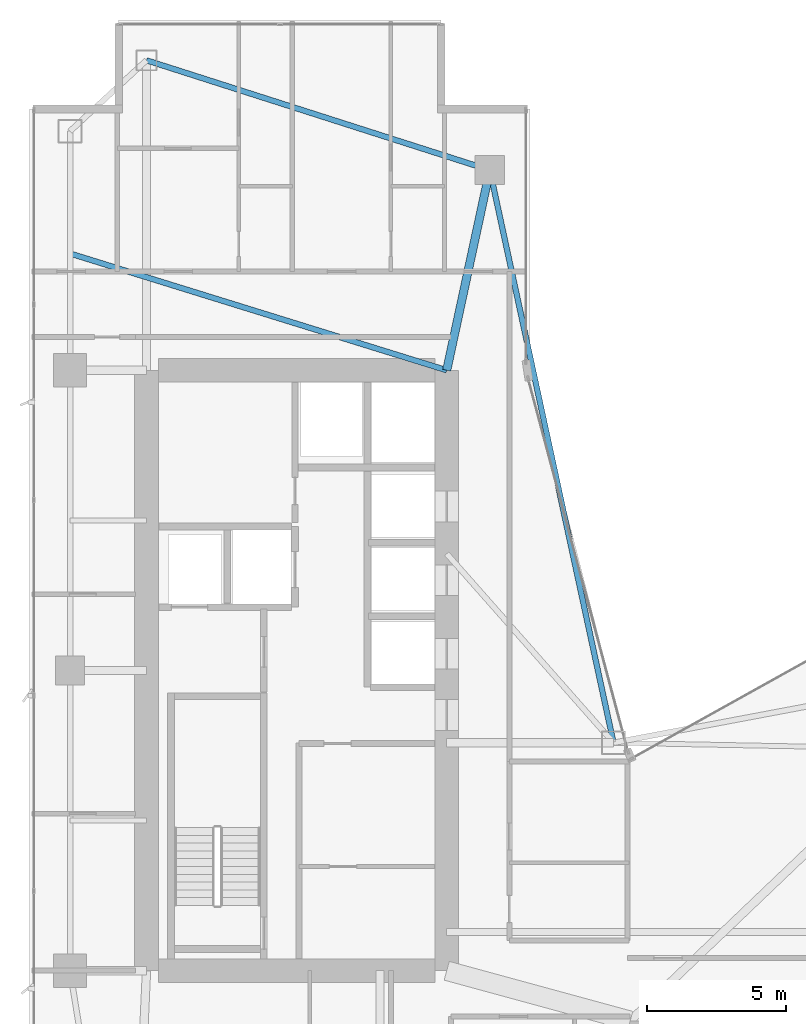
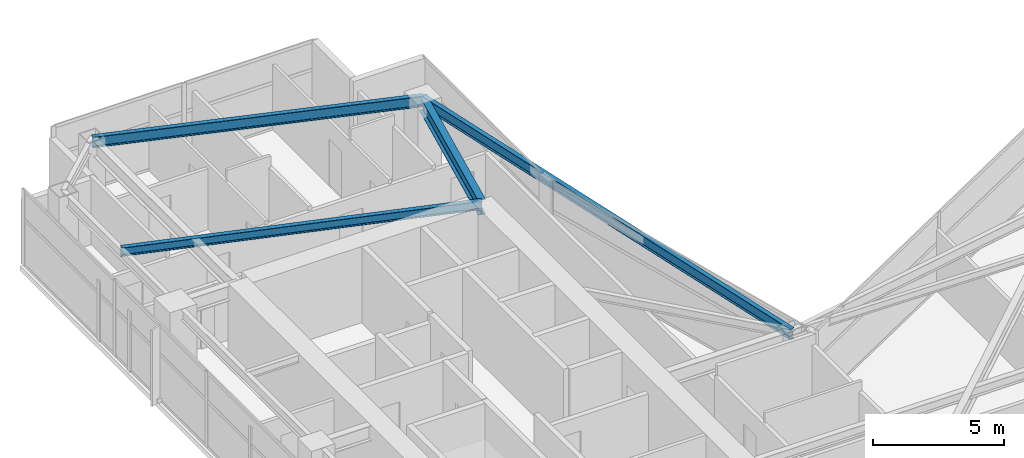
# One storey, part 17 of 29: 4 beams.
"""IFC4 building model written with IfcOpenShell, lengths in metres."""

from ifc_helpers import new_model, si_unit, direction, frame, origin, origin_2d, place, context, subcontext, project, spatial, i_section, extrude, material, material_profile, profile_set, type_object, element, save


model = new_model("IFC4")

# Units and contexts
model_context = context("Model", 3, precision=1e-05, world=origin(), true_north=direction((0.0, 1.0)))
body_context = subcontext(model_context, "Body", "Model", "MODEL_VIEW")
ifc_project = project(units=[si_unit("LENGTHUNIT", "METRE"), si_unit("AREAUNIT", "SQUARE_METRE"), si_unit("VOLUMEUNIT", "CUBIC_METRE"), si_unit("PLANEANGLEUNIT", "RADIAN"), si_unit("MASSUNIT", "GRAM", prefix="KILO")], contexts=[model_context])

# Site, building, storey
site_placement = place(None, origin())
site = spatial("IfcSite", under=ifc_project, at=site_placement, CompositionType="ELEMENT")
building_placement = place(site_placement, origin())
building = spatial("IfcBuilding", under=site, at=building_placement, Name="Calvorn Quay Hotel", CompositionType="ELEMENT")
storey_placement = place(building_placement, frame((0.0, 0.0, 124.0)))
storey = spatial("IfcBuildingStorey", under=building, at=storey_placement, Name="L30", CompositionType="ELEMENT", Elevation=124.0)

# Beams
ifc_material_1 = material(Name="Steel Q390GJC", Category="steel")
ifc_material_profile_1 = material_profile(ifc_material_1, i_section(OverallWidth=0.300048828125, OverallDepth=0.699951171875, WebThickness=0.012939453125, FlangeThickness=0.02392578125, FilletRadius=0.02392578125, at=origin_2d()), Name="HN700x300x13x24")
ifc_profile_set_1 = profile_set([ifc_material_profile_1], Name="Steel Q390GJC")
beam_type_1 = type_object("IfcBeamType", Name="BM-GIRD-MAIN", PredefinedType="BEAM", material=ifc_profile_set_1)
beam_1_placement = place(storey_placement, frame((16.550048828125, 45.60009765625, 3.18994140625), z_axis=(-0.210457140491, -0.97760308511, 0.0), x_axis=(0.97760308511, -0.210457140491, 0.0)))
element("IfcBeam", 1, at=beam_1_placement, inside=storey, type_object=beam_type_1, Name="Beam BG-L30-W6", PredefinedType="BEAM", context=body_context, shape_type="SweptSolid", body=[
    extrude(i_section(OverallWidth=0.300048828125, OverallDepth=0.699951171875, WebThickness=0.012939453125, FlangeThickness=0.02392578125, FilletRadius=0.02392578125, at=origin_2d()), origin(), (0.0, 0.0, 1.0), 7.365234375),
])
ifc_material_2 = material(Name="Steel Q355B", Category="steel")
ifc_material_profile_2 = material_profile(ifc_material_2, i_section(OverallWidth=0.199951171875, OverallDepth=0.39990234375, WebThickness=0.008056640625, FlangeThickness=0.012939453125, FilletRadius=0.01611328125, at=origin_2d()), Name="HN400x200x8x13")
ifc_profile_set_2 = profile_set([ifc_material_profile_2], Name="Steel Q355B")
beam_type_2 = type_object("IfcBeamType", Name="BM-JOIST-TYP", PredefinedType="JOIST", material=ifc_profile_set_2)
beam_2_placement = place(storey_placement, frame((1.449951171875, 42.60009765625, 3.340087890625), z_axis=(0.955163702122, -0.296078202759, 0.0), x_axis=(0.296078202759, 0.955163702122, 0.0)))
element("IfcBeam", 2, at=beam_2_placement, inside=storey, type_object=beam_type_2, Name="Beam BJ-L30-W2", PredefinedType="JOIST", context=body_context, shape_type="SweptSolid", body=[
    extrude(i_section(OverallWidth=0.199951171875, OverallDepth=0.39990234375, WebThickness=0.008056640625, FlangeThickness=0.012939453125, FilletRadius=0.01611328125, at=origin_2d()), origin(), (0.0, 0.0, 1.0), 14.18603515625),
])
ifc_material_3 = material(Name="Steel Q355B", Category="steel")
ifc_material_profile_3 = material_profile(ifc_material_3, i_section(OverallWidth=0.199951171875, OverallDepth=0.5, WebThickness=0.010009765625, FlangeThickness=0.01611328125, FilletRadius=0.01611328125, at=origin_2d()), Name="HN500x200x10x16")
ifc_profile_set_3 = profile_set([ifc_material_profile_3], Name="Steel Q355B")
beam_type_3 = type_object("IfcBeamType", Name="BM-SPANDREL-Z1", PredefinedType="SPANDREL", material=ifc_profile_set_3)
beam_3_placement = place(storey_placement, frame((4.199951171875, 49.550048828125, 3.2900390625), z_axis=(0.952470702374, -0.304630203885, 0.0), x_axis=(0.304630203885, 0.952470702374, 0.0)))
element("IfcBeam", 3, at=beam_3_placement, inside=storey, type_object=beam_type_3, Name="Beam BSP-L30-W6", PredefinedType="SPANDREL", context=body_context, shape_type="SweptSolid", body=[
    extrude(i_section(OverallWidth=0.199951171875, OverallDepth=0.5, WebThickness=0.010009765625, FlangeThickness=0.01611328125, FilletRadius=0.01611328125, at=origin_2d()), origin(), (0.0, 0.0, 1.0), 12.96630859375),
])
beam_4_placement = place(storey_placement, frame((16.550048828125, 45.60009765625, 3.2900390625), z_axis=(0.211145848376, -0.977454567084, 0.0), x_axis=(0.977454567084, 0.211145848376, 0.0)))
element("IfcBeam", 4, at=beam_4_placement, inside=storey, type_object=beam_type_3, Name="Beam BSP-L30-W7", PredefinedType="SPANDREL", context=body_context, shape_type="SweptSolid", body=[
    extrude(i_section(OverallWidth=0.199951171875, OverallDepth=0.5, WebThickness=0.010009765625, FlangeThickness=0.01611328125, FilletRadius=0.01611328125, at=origin_2d()), origin(), (0.0, 0.0, 1.0), 21.0751953125),
])

save(model, "model.ifc")
